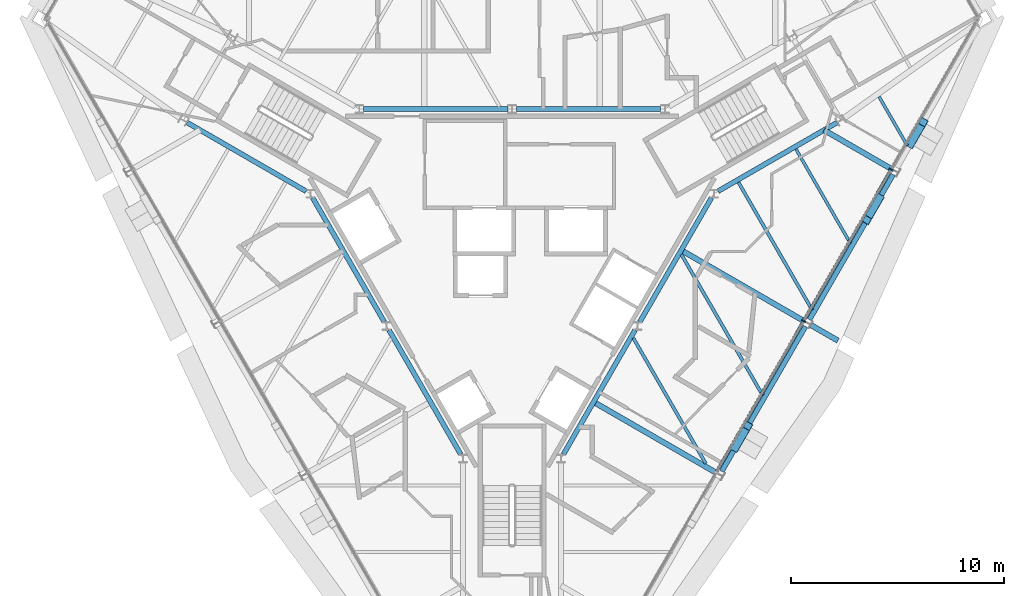
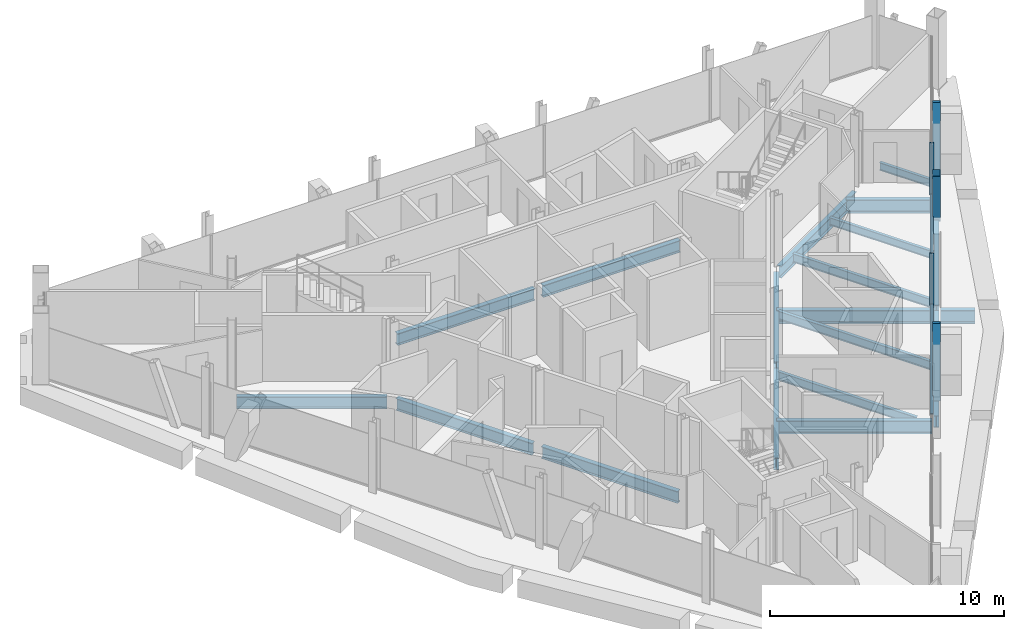
# One storey, part 4 of 13: 19 beams, 7 members, 1 element without a shape of its own.
"""IFC4 building model written with IfcOpenShell, lengths in metres."""

import ifcopenshell
import ifcopenshell.guid

model = None  # the IFC model being written
_history = None  # IfcOwnerHistory: only IFC2X3 demands one
_inside = {}  # id of a spatial element -> (the spatial element, [elements in it])
_under = {}  # id of a project, library or spatial element -> (it, [spatial elements below it])
_declared = {}  # id of a project -> (the project, [libraries it declares])
_typed = {}  # id of a type object -> (the type object, [elements of that type])
_made_of = {}  # id of a material, layer set ... -> (it, [elements and type objects made of it])


def new_model(schema):
    """Start an empty IFC model of exactly this schema.

    Asked for "IFC4X3", IfcOpenShell would pick the latest addendum, in which some entities
    have other attributes; the version numbers below select the first issue.
    IFC2X3 requires an IfcOwnerHistory on every rooted entity: one is made here for all.
    """
    global model, _history
    if schema == "IFC4X3":
        model = ifcopenshell.file(schema_version=(4, 3, 0, 0))
    else:
        model = ifcopenshell.file(schema=schema)
    _inside.clear()
    _under.clear()
    _declared.clear()
    _typed.clear()
    _made_of.clear()
    _history = None
    if model.schema == "IFC2X3":
        org = make("IfcOrganization", Name="unknown")
        user = make(
            "IfcPersonAndOrganization",
            ThePerson=make("IfcPerson", FamilyName="unknown"),
            TheOrganization=org,
        )
        app = make(
            "IfcApplication",
            ApplicationDeveloper=org,
            Version="unknown",
            ApplicationFullName="unknown",
            ApplicationIdentifier="unknown",
        )
        _history = make(
            "IfcOwnerHistory",
            OwningUser=user,
            OwningApplication=app,
            ChangeAction="ADDED",
            CreationDate=0,
        )
    return model


def make(cls, **values):
    """One entity of the class cls with the attributes given. An attribute that is None is left unset."""
    return model.create_entity(
        cls, **{name: value for name, value in values.items() if value is not None}
    )


def rooted(cls, **values):
    """An entity with a GlobalId (a new one), such as an element, a storey or a relation."""
    return make(cls, GlobalId=ifcopenshell.guid.new(), OwnerHistory=_history, **values)


def si_unit(unit_type, name, prefix=None):
    """IfcSIUnit, for example si_unit("LENGTHUNIT", "METRE", prefix="MILLI")."""
    return make("IfcSIUnit", UnitType=unit_type, Prefix=prefix, Name=name)


def assignment(units):
    """IfcUnitAssignment: the units of a project."""
    return None if units is None else make("IfcUnitAssignment", Units=units)


def point(xyz):
    """IfcCartesianPoint."""
    return None if xyz is None else make("IfcCartesianPoint", Coordinates=xyz)


def direction(xyz):
    """IfcDirection."""
    return None if xyz is None else make("IfcDirection", DirectionRatios=xyz)


def frame(location, z_axis=None, x_axis=None):
    """IfcAxis2Placement3D, a coordinate frame: its origin and axes. An axis left out is left unset."""
    return make(
        "IfcAxis2Placement3D",
        Location=point(location),
        Axis=direction(z_axis),
        RefDirection=direction(x_axis),
    )


def frame_2d(location, x_axis=None):
    """IfcAxis2Placement2D, a coordinate frame in the plane: its origin and x axis."""
    return make(
        "IfcAxis2Placement2D", Location=point(location), RefDirection=direction(x_axis)
    )


def origin():
    """The frame at (0, 0, 0) with its axes left unset."""
    return frame((0.0, 0.0, 0.0))


def origin_2d():
    """The frame at (0, 0) in the plane with its x axis left unset."""
    return frame_2d((0.0, 0.0))


def place(relative_to, where):
    """IfcLocalPlacement: puts the frame where relative to a parent placement (None: the world)."""
    return make(
        "IfcLocalPlacement", PlacementRelTo=relative_to, RelativePlacement=where
    )


def context(
    kind, dimensions, precision=None, world=None, true_north=None, identifier=None
):
    """IfcGeometricRepresentationContext, for example the 3D "Model" context."""
    return make(
        "IfcGeometricRepresentationContext",
        ContextIdentifier=identifier,
        ContextType=kind,
        CoordinateSpaceDimension=dimensions,
        Precision=precision,
        WorldCoordinateSystem=world,
        TrueNorth=true_north,
    )


def subcontext(parent, identifier, kind, view, scale=None):
    """IfcGeometricRepresentationSubContext, for example "Body" below "Model"."""
    return make(
        "IfcGeometricRepresentationSubContext",
        ContextIdentifier=identifier,
        ContextType=kind,
        ParentContext=parent,
        TargetScale=scale,
        TargetView=view,
    )


def project(units=None, contexts=None):
    """IfcProject with its units and contexts."""
    return rooted(
        "IfcProject",
        Name="project",
        RepresentationContexts=contexts,
        UnitsInContext=assignment(units),
    )


def spatial(cls, under=None, at=None, **own):
    """A site, building, storey or space (cls), placed at a placement, below another one or the project."""
    s = rooted(cls, ObjectPlacement=at, **own)
    if under is not None:
        _under.setdefault(under.id(), (under, []))[1].append(s)
    return s


def profile(cls, at=None, kind="AREA", **sizes):
    """A parametric profile (cls). Its sizes go by their IFC names, for example OverallWidth=200.0."""
    return make(cls, ProfileType=kind, Position=at, **sizes)


def rectangle(**sizes):
    """IfcRectangleProfileDef."""
    return profile("IfcRectangleProfileDef", **sizes)


def hollow_rectangle(**sizes):
    """IfcRectangleHollowProfileDef."""
    return profile("IfcRectangleHollowProfileDef", **sizes)


def i_section(**sizes):
    """IfcIShapeProfileDef."""
    return profile("IfcIShapeProfileDef", **sizes)


def extrude(swept, where, along, depth):
    """IfcExtrudedAreaSolid: the profile swept, set in the frame where, extruded along a direction by depth."""
    return make(
        "IfcExtrudedAreaSolid",
        SweptArea=swept,
        Position=where,
        ExtrudedDirection=direction(along),
        Depth=depth,
    )


def shape(context_of_items, identifier, shape_type, items):
    """IfcShapeRepresentation: the items that make up one representation, for example the "Body"."""
    return make(
        "IfcShapeRepresentation",
        ContextOfItems=context_of_items,
        RepresentationIdentifier=identifier,
        RepresentationType=shape_type,
        Items=items,
    )


def material(Name=None, Category=None):
    """IfcMaterial."""
    return make("IfcMaterial", Name=Name, Category=Category)


def material_profile(
    of_material, cross_section, Name=None, Category=None, Priority=None
):
    """IfcMaterialProfile: a cross section and its material."""
    return make(
        "IfcMaterialProfile",
        Name=Name,
        Material=of_material,
        Profile=cross_section,
        Priority=Priority,
        Category=Category,
    )


def profile_set(profiles, Name=None, composite=None):
    """IfcMaterialProfileSet."""
    return make(
        "IfcMaterialProfileSet",
        Name=Name,
        MaterialProfiles=profiles,
        CompositeProfile=composite,
    )


def made_of(thing, what):
    """Note that an element or type object is made of a material, layer set ...; save() writes the relation."""
    if what is not None:
        _made_of.setdefault(what.id(), (what, []))[1].append(thing)
    return thing


def type_object(cls, material=None, **own):
    """A type object (cls), such as IfcWallType, which elements share."""
    return made_of(rooted(cls, **own), material)


def element(
    cls,
    number,
    at=None,
    inside=None,
    cuts=None,
    type_object=None,
    material=None,
    context=None,
    identifier="Body",
    shape_type=None,
    held_by="IfcProductDefinitionShape",
    body=None,
    shapes=None,
    **own,
):
    """One element of the class cls, such as IfcWall. Its Tag is "e" and its number.

    at: its placement. inside: the storey or other place that contains it. cuts: it is an
    opening in that element (IfcRelVoidsElement). A single representation is given by context,
    identifier, shape_type and body (its items); several are given by shapes. held_by: the class
    of the entity that holds the representations. save() writes the other relations.
    """
    e = rooted(cls, Tag="e%d" % number, ObjectPlacement=at, **own)
    if body is not None:
        shapes = [shape(context, identifier, shape_type, body)]
    if shapes is not None:
        e.Representation = make(held_by, Representations=shapes)
    if inside is not None:
        _inside.setdefault(inside.id(), (inside, []))[1].append(e)
    if cuts is not None:
        rooted(
            "IfcRelVoidsElement", RelatingBuildingElement=cuts, RelatedOpeningElement=e
        )
    if type_object is not None:
        _typed.setdefault(type_object.id(), (type_object, []))[1].append(e)
    return made_of(e, material)


def aggregate(whole, parts):
    """IfcRelAggregates: a whole, such as a stair, and the parts it consists of."""
    return rooted("IfcRelAggregates", RelatingObject=whole, RelatedObjects=parts)


def save(model, path):
    """Write the relations noted so far, then the file.

    IfcRelAggregates (storeys below a building ...), IfcRelContainedInSpatialStructure (elements
    in a storey), IfcRelDefinesByType, IfcRelAssociatesMaterial and IfcRelDeclares: one each for
    every whole, place, type object, material and project.
    """
    for whole, parts in _under.values():
        aggregate(whole, parts)
    for where, things in _inside.values():
        rooted(
            "IfcRelContainedInSpatialStructure",
            RelatedElements=things,
            RelatingStructure=where,
        )
    for kind, things in _typed.values():
        rooted("IfcRelDefinesByType", RelatedObjects=things, RelatingType=kind)
    for what, things in _made_of.values():
        rooted("IfcRelAssociatesMaterial", RelatedObjects=things, RelatingMaterial=what)
    for by, libraries in _declared.values():
        rooted("IfcRelDeclares", RelatingContext=by, RelatedDefinitions=libraries)
    model.write(path)


model = new_model("IFC4")

# Units and contexts
model_context = context("Model", 3, precision=1e-05, world=origin(), true_north=direction((0.0, 1.0)))
body_context = subcontext(model_context, "Body", "Model", "MODEL_VIEW")
ifc_project = project(units=[si_unit("LENGTHUNIT", "METRE"), si_unit("AREAUNIT", "SQUARE_METRE"), si_unit("VOLUMEUNIT", "CUBIC_METRE"), si_unit("PLANEANGLEUNIT", "RADIAN"), si_unit("MASSUNIT", "GRAM", prefix="KILO")], contexts=[model_context])

# Site, building, storey
site_placement = place(None, origin())
site = spatial("IfcSite", under=ifc_project, at=site_placement, CompositionType="ELEMENT")
building_placement = place(site_placement, origin())
building = spatial("IfcBuilding", under=site, at=building_placement, Name="Verrane Prism Tower", CompositionType="ELEMENT")
storey_placement = place(building_placement, frame((0.0, 0.0, 289.89990234375)))
storey = spatial("IfcBuildingStorey", under=building, at=storey_placement, Name="L73", CompositionType="ELEMENT", Elevation=289.89990234375)

# Beams
ifc_material_1 = material(Name="Steel A992", Category="steel")
ifc_material_profile_1 = material_profile(ifc_material_1, i_section(OverallWidth=0.23046875, OverallDepth=0.6171875, WebThickness=0.01318359375, FlangeThickness=0.022216796875, FilletRadius=0.012939453125, at=origin_2d()), Name="W24x94")
ifc_profile_set_1 = profile_set([ifc_material_profile_1], Name="Steel A992")
beam_type_1 = type_object("IfcBeamType", Name="Core ring girder W24x94", PredefinedType="BEAM", material=ifc_profile_set_1)
beam_1_placement = place(storey_placement, frame((9.679443359375, 2.93505859375, -0.55859375), z_axis=(0.866080992722, 0.499903704773, 0.0), x_axis=(-0.499903704773, 0.866080992722, 0.0)))
element("IfcBeam", 1, at=beam_1_placement, inside=storey, type_object=beam_type_1, Name="Core ring girder L73", PredefinedType="BEAM", context=body_context, shape_type="SweptSolid", body=[
    extrude(i_section(OverallWidth=0.23046875, OverallDepth=0.6171875, WebThickness=0.01318359375, FlangeThickness=0.022216796875, FilletRadius=0.012939453125, at=origin_2d()), origin(), (0.0, 0.0, 1.0), 6.451904296875),
])
for number, where, z_axis, x_axis, name in (
    (2, (6.980712890625, 6.800048828125, -0.55859375), (-1.0, 0.0, 0.0), (0.0, -1.0, 0.0), "Core ring girder L73"),
    (3, (-0.199462890625, 6.800048828125, -0.55859375), (-1.0, 0.0, 0.0), (0.0, -1.0, 0.0), "Core ring girder L73"),
):
    element("IfcBeam", number, at=place(storey_placement, frame(where, z_axis=z_axis, x_axis=x_axis)), inside=storey, type_object=beam_type_1, Name=name, PredefinedType="BEAM", context=body_context, shape_type="SweptSolid", body=[
        extrude(i_section(OverallWidth=0.23046875, OverallDepth=0.6171875, WebThickness=0.01318359375, FlangeThickness=0.022216796875, FilletRadius=0.012939453125, at=origin_2d()), origin(), (0.0, 0.0, 1.0), 6.78125),
    ])
beam_2_placement = place(storey_placement, frame((-15.267333984375, 6.160400390625, -0.55859375), z_axis=(0.866080992722, -0.499903704773, 0.0), x_axis=(0.499903704773, 0.866080992722, 0.0)))
element("IfcBeam", 4, at=beam_2_placement, inside=storey, type_object=beam_type_1, Name="Core ring girder L73", PredefinedType="BEAM", context=body_context, shape_type="SweptSolid", body=[
    extrude(i_section(OverallWidth=0.23046875, OverallDepth=0.6171875, WebThickness=0.01318359375, FlangeThickness=0.022216796875, FilletRadius=0.012939453125, at=origin_2d()), origin(), (0.0, 0.0, 1.0), 6.451904296875),
])
for number, where, z_axis, x_axis, name in (
    (5, (-9.36865234375, 2.626953125, -0.55859375), (0.499881421193, -0.866093854468, 0.0), (0.866093854468, 0.499881421193, 0.0), "Core ring girder L73"),
    (6, (-5.778564453125, -3.593017578125, -0.55859375), (0.499881421193, -0.866093854468, 0.0), (0.866093854468, 0.499881421193, 0.0), "Core ring girder L73"),
    (7, (2.411376953125, -9.427001953125, -0.55859375), (0.499881421193, 0.866093854468, 0.0), (-0.866093854468, 0.499881421193, 0.0), "Core ring girder L73"),
    (8, (6.00146484375, -3.20703125, -0.55859375), (0.499881421193, 0.866093854468, 0.0), (-0.866093854468, 0.499881421193, 0.0), "Core ring girder L73"),
):
    element("IfcBeam", number, at=place(storey_placement, frame(where, z_axis=z_axis, x_axis=x_axis)), inside=storey, type_object=beam_type_1, Name=name, PredefinedType="BEAM", context=body_context, shape_type="SweptSolid", body=[
        extrude(i_section(OverallWidth=0.23046875, OverallDepth=0.6171875, WebThickness=0.01318359375, FlangeThickness=0.022216796875, FilletRadius=0.012939453125, at=origin_2d()), origin(), (0.0, 0.0, 1.0), 6.736083984375),
    ])

# Members
ifc_material_2 = material(Name="Steel A500 Grade C", Category="steel")
ifc_material_profile_2 = material_profile(ifc_material_2, hollow_rectangle(XDim=0.355712890625, YDim=0.355712890625, WallThickness=0.0126953125, InnerFilletRadius=0.00634765625, OuterFilletRadius=0.01904296875, at=origin_2d()), Name="HSS14x14x1/2")
ifc_profile_set_2 = profile_set([ifc_material_profile_2], Name="Steel A500 Grade C")
member_type_1 = type_object("IfcMemberType", Name="Facade brace HSS14x14x1/2", PredefinedType="BRACE", material=ifc_profile_set_2)
member_1_placement = place(storey_placement, frame((10.493408203125, -9.120849609375, -0.216552734375), z_axis=(0.17403322665, 0.301156262578, 0.937559246945), x_axis=(-0.865825429664, 0.500346205489, 0.0)))
element("IfcMember", 9, at=member_1_placement, inside=storey, type_object=member_type_1, Name="Facade brace SE2 L73", PredefinedType="BRACE", context=body_context, shape_type="SweptSolid", body=[
    extrude(hollow_rectangle(XDim=0.355712890625, YDim=0.355712890625, WallThickness=0.0126953125, InnerFilletRadius=0.00634765625, OuterFilletRadius=0.01904296875, at=origin_2d()), origin(), (0.0, 0.0, 1.0), 3.408935546875),
])
member_2_placement = place(storey_placement, frame((17.2666015625, 2.60888671875, -0.216552734375), z_axis=(-0.174014450445, -0.301481825669, 0.937458094972), x_axis=(0.86608282171, -0.499900536046, 0.0)))
element("IfcMember", 10, at=member_2_placement, inside=storey, type_object=member_type_1, Name="Facade brace SE3 L73", PredefinedType="BRACE", context=body_context, shape_type="SweptSolid", body=[
    extrude(hollow_rectangle(XDim=0.355712890625, YDim=0.355712890625, WallThickness=0.0126953125, InnerFilletRadius=0.00634765625, OuterFilletRadius=0.01904296875, at=origin_2d()), origin(), (0.0, 0.0, 1.0), 3.4091796875),
])
member_3_placement = place(storey_placement, frame((18.7333984375, 5.15087890625, -0.216552734375), z_axis=(0.174010693257, 0.30154692564, 0.937437854084), x_axis=(-0.86613421761, 0.499811481546, 0.0)))
element("IfcMember", 11, at=member_3_placement, inside=storey, type_object=member_type_1, Name="Facade brace SE4 L73", PredefinedType="BRACE", context=body_context, shape_type="SweptSolid", body=[
    extrude(hollow_rectangle(XDim=0.355712890625, YDim=0.355712890625, WallThickness=0.0126953125, InnerFilletRadius=0.00634765625, OuterFilletRadius=0.01904296875, at=origin_2d()), origin(), (0.0, 0.0, 1.0), 3.409423828125),
])

# Beams
ifc_material_3 = material(Name="Steel A992", Category="steel")
ifc_material_profile_3 = material_profile(ifc_material_3, i_section(OverallWidth=0.140380859375, OverallDepth=0.40380859375, WebThickness=0.007080078125, FlangeThickness=0.01123046875, FilletRadius=0.01025390625, at=origin_2d()), Name="W16x31")
ifc_profile_set_3 = profile_set([ifc_material_profile_3], Name="Steel A992")
beam_type_2 = type_object("IfcBeamType", Name="Floor beam W16x31", PredefinedType="BEAM", material=ifc_profile_set_3)
beam_3_placement = place(storey_placement, frame((15.902099609375, 0.474609375, -0.36181640625), z_axis=(-0.500011000363, 0.866019052629, 0.0), x_axis=(-0.866019052629, -0.500011000363, 0.0)))
element("IfcBeam", 12, at=beam_3_placement, inside=storey, type_object=beam_type_2, Name="Floor beam L73", PredefinedType="BEAM", context=body_context, shape_type="SweptSolid", body=[
    extrude(i_section(OverallWidth=0.140380859375, OverallDepth=0.40380859375, WebThickness=0.007080078125, FlangeThickness=0.01123046875, FilletRadius=0.01025390625, at=origin_2d()), origin(), (0.0, 0.0, 1.0), 5.126953125),
])
beam_4_placement = place(storey_placement, frame((18.565185546875, 5.089599609375, -0.36181640625), z_axis=(-0.49994082229, 0.866059567356, 0.0), x_axis=(-0.866059567356, -0.49994082229, 0.0)))
element("IfcBeam", 13, at=beam_4_placement, inside=storey, type_object=beam_type_2, Name="Floor beam L73", PredefinedType="BEAM", context=body_context, shape_type="SweptSolid", body=[
    extrude(i_section(OverallWidth=0.140380859375, OverallDepth=0.40380859375, WebThickness=0.007080078125, FlangeThickness=0.01123046875, FilletRadius=0.01025390625, at=origin_2d()), origin(), (0.0, 0.0, 1.0), 2.645263671875),
])
ifc_material_4 = material(Name="Steel A992", Category="steel")
ifc_material_profile_4 = material_profile(ifc_material_4, i_section(OverallWidth=0.15234375, OverallDepth=0.449462890625, WebThickness=0.007568359375, FlangeThickness=0.0107421875, FilletRadius=0.01025390625, at=origin_2d()), Name="W18x35")
ifc_profile_set_4 = profile_set([ifc_material_profile_4], Name="Steel A992")
beam_type_3 = type_object("IfcBeamType", Name="Floor beam W18x35", PredefinedType="BEAM", material=ifc_profile_set_4)
beam_5_placement = place(storey_placement, frame((11.78076171875, -6.6630859375, -0.384765625), z_axis=(-0.499997113229, 0.866027070456, 0.0), x_axis=(-0.866027070456, -0.499997113229, 0.0)))
element("IfcBeam", 14, at=beam_5_placement, inside=storey, type_object=beam_type_3, Name="Floor beam L73", PredefinedType="BEAM", context=body_context, shape_type="SweptSolid", body=[
    extrude(i_section(OverallWidth=0.15234375, OverallDepth=0.449462890625, WebThickness=0.007568359375, FlangeThickness=0.0107421875, FilletRadius=0.01025390625, at=origin_2d()), origin(), (0.0, 0.0, 1.0), 7.64306640625),
])
beam_6_placement = place(storey_placement, frame((9.103271484375, -9.864501953125, -0.384765625), z_axis=(-0.49999337185, 0.866029230515, 0.0), x_axis=(-0.866029230515, -0.49999337185, 0.0)))
element("IfcBeam", 15, at=beam_6_placement, inside=storey, type_object=beam_type_3, Name="Floor beam L73", PredefinedType="BEAM", context=body_context, shape_type="SweptSolid", body=[
    extrude(i_section(OverallWidth=0.15234375, OverallDepth=0.449462890625, WebThickness=0.007568359375, FlangeThickness=0.0107421875, FilletRadius=0.01025390625, at=origin_2d()), origin(), (0.0, 0.0, 1.0), 6.8125),
])
beam_7_placement = place(storey_placement, frame((14.1015625, -2.64599609375, -0.384765625), z_axis=(-0.49999287541, 0.866029517129, 0.0), x_axis=(-0.866029517129, -0.49999287541, 0.0)))
element("IfcBeam", 16, at=beam_7_placement, inside=storey, type_object=beam_type_3, Name="Floor beam L73", PredefinedType="BEAM", context=body_context, shape_type="SweptSolid", body=[
    extrude(i_section(OverallWidth=0.15234375, OverallDepth=0.449462890625, WebThickness=0.007568359375, FlangeThickness=0.0107421875, FilletRadius=0.01025390625, at=origin_2d()), origin(), (0.0, 0.0, 1.0), 6.92919921875),
])

# Curtain wall, members
ifc_material_5 = material(Name="Aluminium framed insulated glazing", Category="aluminium")
curtain_wall_type = type_object("IfcCurtainWallType", Name="Curtain wall CW-A 8400 module", PredefinedType="NOTDEFINED", material=ifc_material_5)
curtain_wall_placement = place(storey_placement, origin())
curtain_wall = element("IfcCurtainWall", 17, at=curtain_wall_placement, inside=storey, type_object=curtain_wall_type, Name="Glazed curtain wall south-east face L73", PredefinedType="NOTDEFINED")
ifc_material_6 = material(Name="Aluminium alloy 6063-T6", Category="aluminium")
ifc_material_profile_5 = material_profile(ifc_material_6, rectangle(XDim=0.199951171875, YDim=0.070068359375, at=origin_2d()), Name="Mullion 70x200 aluminium")
ifc_profile_set_5 = profile_set([ifc_material_profile_5], Name="Aluminium alloy 6063-T6")
member_type_2 = type_object("IfcMemberType", Name="Mullion 70x200 aluminium", PredefinedType="MULLION", material=ifc_profile_set_5)
member_4_placement = place(storey_placement, frame((13.7001953125, -3.1650390625, 0.0), z_axis=(0.0, 0.0, 1.0), x_axis=(-0.866024861728, 0.500000938868, 0.0)))
member_4 = element("IfcMember", 18, at=member_4_placement, type_object=member_type_2, Name="CW72.6 mullion 4", PredefinedType="MULLION", context=body_context, shape_type="SweptSolid", body=[
    extrude(rectangle(XDim=0.199951171875, YDim=0.070068359375, at=origin_2d()), origin(), (0.0, 0.0, 1.0), 2.72314453125),
])
member_5_placement = place(storey_placement, frame((17.8095703125, 3.952392578125, 0.0), z_axis=(0.0, 0.0, 1.0), x_axis=(-0.866024861728, 0.500000938868, 0.0)))
member_5 = element("IfcMember", 19, at=member_5_placement, type_object=member_type_2, Name="CW72.6 mullion 5", PredefinedType="MULLION", context=body_context, shape_type="SweptSolid", body=[
    extrude(rectangle(XDim=0.199951171875, YDim=0.070068359375, at=origin_2d()), origin(), (0.0, 0.0, 1.0), 2.72314453125),
])

# Beams
ifc_material_7 = material(Name="Steel A992", Category="steel")
ifc_material_profile_6 = material_profile(ifc_material_7, i_section(OverallWidth=0.25390625, OverallDepth=0.683349609375, WebThickness=0.012451171875, FlangeThickness=0.01904296875, FilletRadius=0.01513671875, at=origin_2d()), Name="W27x94")
ifc_profile_set_6 = profile_set([ifc_material_profile_6], Name="Steel A992")
beam_type_4 = type_object("IfcBeamType", Name="Radial girder W27x94", PredefinedType="BEAM", material=ifc_profile_set_6)
beam_8_placement = place(storey_placement, frame((9.6005859375, -10.2978515625, -0.5615234375), z_axis=(-0.866031183428, 0.49998998923, 0.0), x_axis=(-0.49998998923, -0.866031183428, 0.0)))
element("IfcBeam", 20, at=beam_8_placement, inside=storey, type_object=beam_type_4, Name="Radial girder L73", PredefinedType="BEAM", context=body_context, shape_type="SweptSolid", body=[
    extrude(i_section(OverallWidth=0.25390625, OverallDepth=0.683349609375, WebThickness=0.012451171875, FlangeThickness=0.01904296875, FilletRadius=0.01513671875, at=origin_2d()), origin(), (0.0, 0.0, 1.0), 6.661865234375),
])
beam_9_placement = place(storey_placement, frame((13.720458984375, -3.16796875, -0.5615234375), z_axis=(-0.866025791777, 0.499999327977, 0.0), x_axis=(-0.499999327977, -0.866025791777, 0.0)))
element("IfcBeam", 21, at=beam_9_placement, inside=storey, type_object=beam_type_4, Name="Radial girder L73", PredefinedType="BEAM", context=body_context, shape_type="SweptSolid", body=[
    extrude(i_section(OverallWidth=0.25390625, OverallDepth=0.683349609375, WebThickness=0.012451171875, FlangeThickness=0.01904296875, FilletRadius=0.01513671875, at=origin_2d()), origin(), (0.0, 0.0, 1.0), 6.666015625),
])
beam_10_placement = place(storey_placement, frame((17.840576171875, 3.97216796875, -0.5615234375), z_axis=(-0.866042841795, 0.499969795263, 0.0), x_axis=(-0.499969795263, -0.866042841795, 0.0)))
element("IfcBeam", 22, at=beam_10_placement, inside=storey, type_object=beam_type_4, Name="Radial girder L73", PredefinedType="BEAM", context=body_context, shape_type="SweptSolid", body=[
    extrude(i_section(OverallWidth=0.25390625, OverallDepth=0.683349609375, WebThickness=0.012451171875, FlangeThickness=0.01904296875, FilletRadius=0.01513671875, at=origin_2d()), origin(), (0.0, 0.0, 1.0), 3.674072265625),
])
beam_11_placement = place(storey_placement, frame((14.035888671875, -3.35009765625, -0.5615234375), z_axis=(0.866056109487, -0.499946812391, 0.0), x_axis=(0.499946812391, 0.866056109487, 0.0)))
element("IfcBeam", 23, at=beam_11_placement, inside=storey, type_object=beam_type_4, Name="Cantilever girder L73", PredefinedType="BEAM", context=body_context, shape_type="SweptSolid", body=[
    extrude(i_section(OverallWidth=0.25390625, OverallDepth=0.683349609375, WebThickness=0.012451171875, FlangeThickness=0.01904296875, FilletRadius=0.01513671875, at=origin_2d()), origin(), (0.0, 0.0, 1.0), 1.475830078125),
])
ifc_material_8 = material(Name="Steel A992", Category="steel")
ifc_material_profile_7 = material_profile(ifc_material_8, i_section(OverallWidth=0.23046875, OverallDepth=0.6171875, WebThickness=0.01318359375, FlangeThickness=0.022216796875, FilletRadius=0.012939453125, at=origin_2d()), Name="W24x94")
ifc_profile_set_7 = profile_set([ifc_material_profile_7], Name="Steel A992")
beam_type_5 = type_object("IfcBeamType", Name="Spandrel beam W24x94", PredefinedType="SPANDREL", material=ifc_profile_set_7)
beam_12_placement = place(storey_placement, frame((9.853515625, -10.228515625, -0.468505859375), z_axis=(0.500300363133, 0.865851919585, 0.0), x_axis=(-0.865851919585, 0.500300363133, 0.0)))
element("IfcBeam", 24, at=beam_12_placement, inside=storey, type_object=beam_type_5, Name="Spandrel beam L73", PredefinedType="SPANDREL", context=body_context, shape_type="SweptSolid", body=[
    extrude(i_section(OverallWidth=0.23046875, OverallDepth=0.6171875, WebThickness=0.01318359375, FlangeThickness=0.022216796875, FilletRadius=0.012939453125, at=origin_2d()), origin(), (0.0, 0.0, 1.0), 7.861572265625),
])
beam_13_placement = place(storey_placement, frame((13.973388671875, -3.098388671875, -0.468505859375), z_axis=(0.499786009893, 0.866148915785, 0.0), x_axis=(-0.866148915785, 0.499786009893, 0.0)))
element("IfcBeam", 25, at=beam_13_placement, inside=storey, type_object=beam_type_5, Name="Spandrel beam L73", PredefinedType="SPANDREL", context=body_context, shape_type="SweptSolid", body=[
    extrude(i_section(OverallWidth=0.23046875, OverallDepth=0.6171875, WebThickness=0.01318359375, FlangeThickness=0.022216796875, FilletRadius=0.012939453125, at=origin_2d()), origin(), (0.0, 0.0, 1.0), 7.8701171875),
])

# Member
ifc_material_9 = material(Name="Aluminium alloy 6063-T6", Category="aluminium")
ifc_material_profile_8 = material_profile(ifc_material_9, rectangle(XDim=0.14990234375, YDim=0.070068359375, at=origin_2d()), Name="Transom 70x150 aluminium")
ifc_profile_set_8 = profile_set([ifc_material_profile_8], Name="Aluminium alloy 6063-T6")
member_type_3 = type_object("IfcMemberType", Name="Transom 70x150 aluminium", PredefinedType="USERDEFINED", material=ifc_profile_set_8)
member_6_placement = place(storey_placement, frame((9.608642578125, -10.251953125, 0.03515625), z_axis=(0.500006018292, 0.866021929094, 0.0), x_axis=(-0.866021929094, 0.500006018292, 0.0)))
member_6 = element("IfcMember", 26, at=member_6_placement, type_object=member_type_3, Name="CW72.6 transom 3", ObjectType="TRANSOM", PredefinedType="USERDEFINED", context=body_context, shape_type="SweptSolid", body=[
    extrude(rectangle(XDim=0.14990234375, YDim=0.070068359375, at=origin_2d()), origin(), (0.0, 0.0, 1.0), 8.1484375),
])

member_7_placement = place(storey_placement, frame((13.7177734375, -3.134521484375, 0.03515625), z_axis=(0.500006018292, 0.866021929094, 0.0), x_axis=(-0.866021929094, 0.500006018292, 0.0)))
member_7 = element("IfcMember", 27, at=member_7_placement, type_object=member_type_3, Name="CW72.6 transom 4", ObjectType="TRANSOM", PredefinedType="USERDEFINED", context=body_context, shape_type="SweptSolid", body=[
    extrude(rectangle(XDim=0.14990234375, YDim=0.070068359375, at=origin_2d()), origin(), (0.0, 0.0, 1.0), 8.1484375),
])

aggregate(curtain_wall, [member_4, member_5, member_6, member_7])

save(model, "model.ifc")
